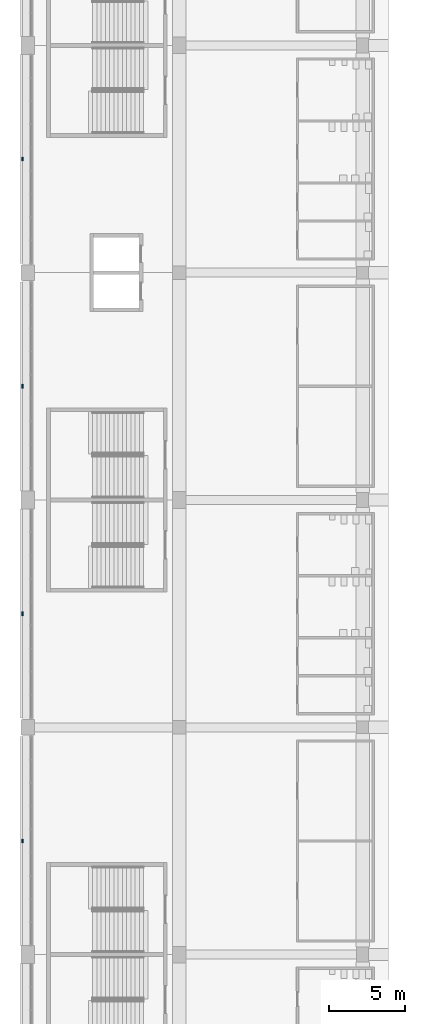
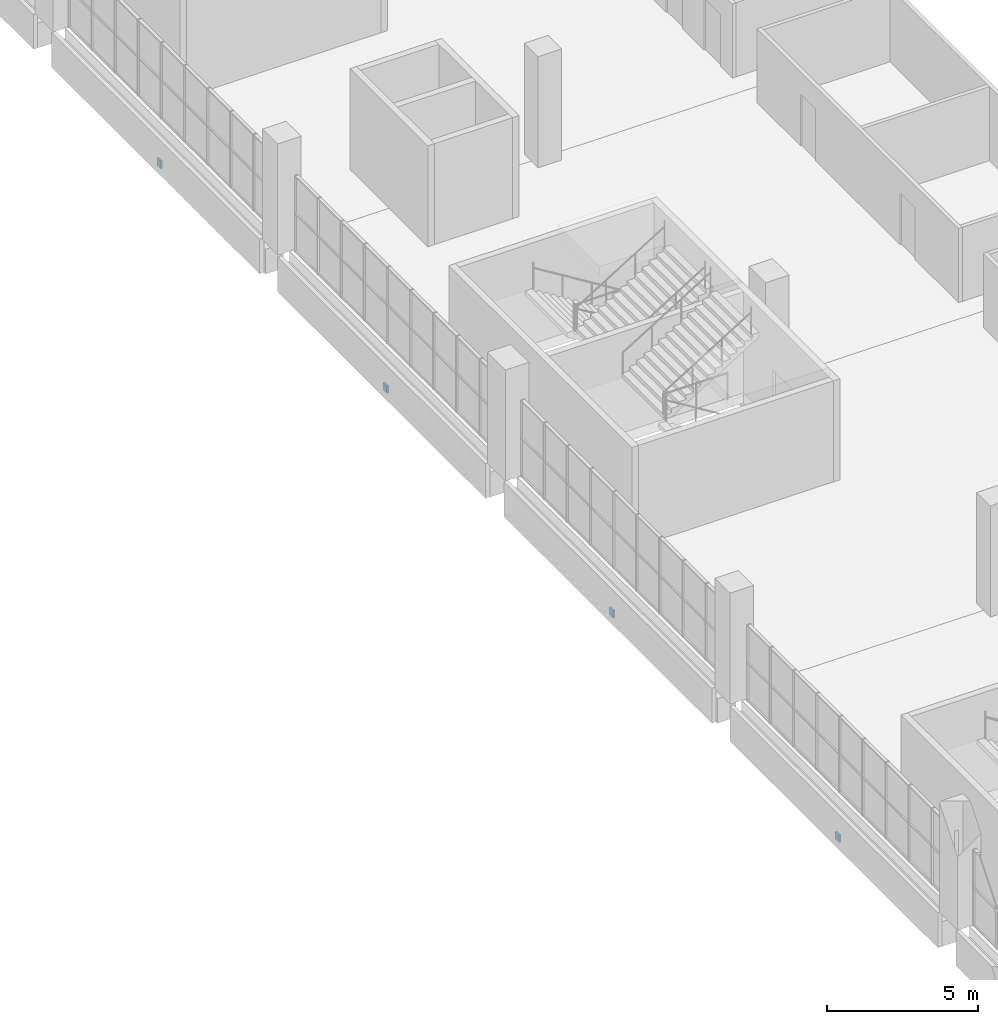
# One storey, part 95 of 199: 4 discrete accessories.
"""IFC4 building model written with IfcOpenShell, lengths in metres."""

from ifc_helpers import new_model, si_unit, direction, frame, origin, origin_2d, place, context, subcontext, project, spatial, rectangle, extrude, material, layer, layer_set, type_object, element, save


model = new_model("IFC4")

# Units and contexts
model_context = context("Model", 3, precision=1e-05, world=origin(), true_north=direction((0.0, 1.0)))
body_context = subcontext(model_context, "Body", "Model", "MODEL_VIEW")
ifc_project = project(units=[si_unit("LENGTHUNIT", "METRE"), si_unit("AREAUNIT", "SQUARE_METRE"), si_unit("VOLUMEUNIT", "CUBIC_METRE"), si_unit("PLANEANGLEUNIT", "RADIAN"), si_unit("MASSUNIT", "GRAM", prefix="KILO")], contexts=[model_context])

# Site, building, storey
site_placement = place(None, origin())
site = spatial("IfcSite", under=ifc_project, at=site_placement, CompositionType="ELEMENT")
building_placement = place(site_placement, origin())
building = spatial("IfcBuilding", under=site, at=building_placement, Name="Ogive Plaza Stadium", CompositionType="ELEMENT")
storey_placement = place(building_placement, frame((0.0, 0.0, 4.5)))
storey = spatial("IfcBuildingStorey", under=building, at=storey_placement, Name="L01", CompositionType="ELEMENT", Elevation=4.5)

# Discrete accessories
ifc_material = material(Name="Steel ASTM A572 Grade 50", Category="steel")
ifc_layer = layer(ifc_material, 0.080078125)
ifc_layer_set = layer_set([ifc_layer], Name="Steel ASTM A572 Grade 50")
discrete_accessory_type = type_object("IfcDiscreteAccessoryType", Name="Spandrel cladding bracket 250x300", PredefinedType="BRACKET", material=ifc_layer_set)
for number, where, z_axis, x_axis, name in (
    (1, (-84.35009765625, -30.0, -1.31005859375), (0.0, 0.0, 1.0), (0.0, 1.0, 0.0), "SPANDREL BRACKET B22 L01"),
    (2, (-84.35009765625, -15.0, -1.31005859375), (0.0, 0.0, 1.0), (0.0, 1.0, 0.0), "SPANDREL BRACKET B23 L01"),
    (3, (-84.35009765625, 0.0, -1.31005859375), (0.0, 0.0, 1.0), (0.0, 1.0, 0.0), "SPANDREL BRACKET B24 L01"),
    (4, (-84.35009765625, 15.0, -1.31005859375), (0.0, 0.0, 1.0), (0.0, 1.0, 0.0), "SPANDREL BRACKET B25 L01"),
):
    element("IfcDiscreteAccessory", number, at=place(storey_placement, frame(where, z_axis=z_axis, x_axis=x_axis)), inside=storey, type_object=discrete_accessory_type, Name=name, PredefinedType="BRACKET", context=body_context, shape_type="SweptSolid", body=[
        extrude(rectangle(XDim=0.25, YDim=0.080078125, at=origin_2d()), origin(), (0.0, 0.0, 1.0), 0.300048828125),
    ])

save(model, "model.ifc")
